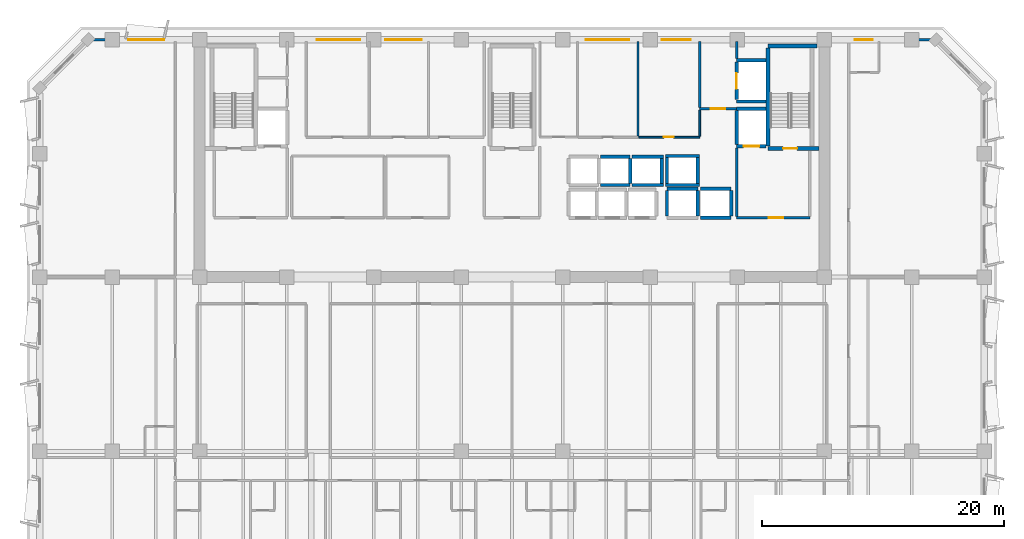
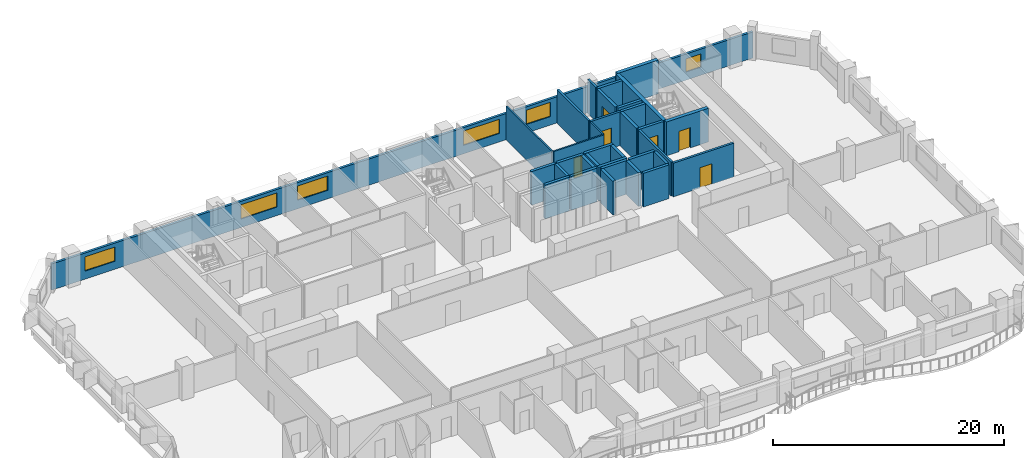
# One storey, part 8 of 15: 34 walls, 6 doors, 6 windows, 12 openings.
"""IFC4 building model written with IfcOpenShell, lengths in metres."""

from ifc_helpers import new_model, si_unit, direction, frame, frame_2d, origin, place, context, subcontext, project, spatial, rectangle, extrude, material, layer, layer_set, type_object, element, fill, save


model = new_model("IFC4")

# Units and contexts
model_context = context("Model", 3, precision=1e-05, world=origin(), true_north=direction((0.0, 1.0)))
body_context = subcontext(model_context, "Body", "Model", "MODEL_VIEW")
ifc_project = project(units=[si_unit("LENGTHUNIT", "METRE"), si_unit("AREAUNIT", "SQUARE_METRE"), si_unit("VOLUMEUNIT", "CUBIC_METRE"), si_unit("PLANEANGLEUNIT", "RADIAN"), si_unit("MASSUNIT", "GRAM", prefix="KILO")], contexts=[model_context])

# Site, building, storey
site_placement = place(None, origin())
site = spatial("IfcSite", under=ifc_project, at=site_placement, CompositionType="ELEMENT")
building_placement = place(site_placement, origin())
building = spatial("IfcBuilding", under=site, at=building_placement, Name="Kaelvorn Grand Hotel", CompositionType="ELEMENT")
storey_placement = place(building_placement, frame((0.0, 0.0, 154.35009765625)))
storey = spatial("IfcBuildingStorey", under=building, at=storey_placement, Name="L37", CompositionType="ELEMENT", Elevation=154.35009765625)

# Wall, openings, windows
ifc_material_1 = material(Name="Concrete C40/50", Category="concrete")
ifc_layer_1 = layer(ifc_material_1, 0.239990234375)
ifc_layer_set_1 = layer_set([ifc_layer_1], Name="Concrete C40/50")
wall_type_1 = type_object("IfcWallType", Name="WL-EXT-240-C40", PredefinedType="SOLIDWALL", material=ifc_layer_set_1)
wall_1_placement = place(storey_placement, frame((77.0, 49.0, 0.0), z_axis=(0.0, 0.0, 1.0), x_axis=(-1.0, 0.0, 0.0)))
wall_1 = element("IfcWall", 1, at=wall_1_placement, inside=storey, type_object=wall_type_1, Name="L37 Exterior Architectural Concrete Wall 05", PredefinedType="SOLIDWALL", context=body_context, shape_type="SweptSolid", body=[
    extrude(rectangle(XDim=70.0, YDim=0.239990234375, at=frame_2d((35.0, 0.0))), origin(), (0.0, 0.0, 1.0), 2.760009765625),
])
opening_1_placement = place(wall_1_placement, frame((63.699951171875, 0.0, 0.85009765625)))
opening_1 = element("IfcOpeningElement", 2, at=opening_1_placement, cuts=wall_1, Name="Opening W5", PredefinedType="OPENING", context=body_context, shape_type="SweptSolid", body=[
    extrude(rectangle(XDim=3.0, YDim=1.5, at=frame_2d((1.5, 0.75))), frame((0.0, 0.1298828125, 0.0), z_axis=(0.0, -1.0, 0.0), x_axis=(1.0, 0.0, 0.0)), (0.0, 0.0, 1.0), 0.260009765625),
])
opening_2_placement = place(wall_1_placement, frame((5.199951171875, 0.0, 0.85009765625)))
opening_2 = element("IfcOpeningElement", 3, at=opening_2_placement, cuts=wall_1, Name="Opening W10", PredefinedType="OPENING", context=body_context, shape_type="SweptSolid", body=[
    extrude(rectangle(XDim=1.5, YDim=1.39990234375, at=frame_2d((0.75, 0.699951171875))), frame((0.0, 0.1298828125, 0.0), z_axis=(0.0, -1.0, 0.0), x_axis=(1.0, 0.0, 0.0)), (0.0, 0.0, 1.0), 0.260009765625),
])
opening_3_placement = place(wall_1_placement, frame((47.514892578125, 0.0, 0.89990234375)))
opening_3 = element("IfcOpeningElement", 4, at=opening_3_placement, cuts=wall_1, Name="Opening W3", PredefinedType="OPENING", context=body_context, shape_type="SweptSolid", body=[
    extrude(rectangle(XDim=3.60009765625, YDim=1.5, at=frame_2d((1.800048828125, 0.75))), frame((0.0, 0.1298828125, 0.0), z_axis=(0.0, -1.0, 0.0), x_axis=(1.0, 0.0, 0.0)), (0.0, 0.0, 1.0), 0.260009765625),
])
opening_4_placement = place(wall_1_placement, frame((42.449951171875, 0.0, 0.89990234375)))
opening_4 = element("IfcOpeningElement", 5, at=opening_4_placement, cuts=wall_1, Name="Opening W5", PredefinedType="OPENING", context=body_context, shape_type="SweptSolid", body=[
    extrude(rectangle(XDim=3.0, YDim=1.5, at=frame_2d((1.5, 0.75))), frame((0.0, 0.1298828125, 0.0), z_axis=(0.0, -1.0, 0.0), x_axis=(1.0, 0.0, 0.0)), (0.0, 0.0, 1.0), 0.260009765625),
])
opening_5_placement = place(wall_1_placement, frame((25.300048828125, 0.0, 0.89990234375)))
opening_5 = element("IfcOpeningElement", 6, at=opening_5_placement, cuts=wall_1, Name="Opening W3", PredefinedType="OPENING", context=body_context, shape_type="SweptSolid", body=[
    extrude(rectangle(XDim=3.60009765625, YDim=1.5, at=frame_2d((1.800048828125, 0.75))), frame((0.0, 0.1298828125, 0.0), z_axis=(0.0, -1.0, 0.0), x_axis=(1.0, 0.0, 0.0)), (0.0, 0.0, 1.0), 0.260009765625),
])
opening_6_placement = place(wall_1_placement, frame((20.235107421875, 0.0, 0.89990234375)))
opening_6 = element("IfcOpeningElement", 7, at=opening_6_placement, cuts=wall_1, Name="Opening W6", PredefinedType="OPENING", context=body_context, shape_type="SweptSolid", body=[
    extrude(rectangle(XDim=2.39990234375, YDim=1.5, at=frame_2d((1.199951171875, 0.75))), frame((0.0, 0.1298828125, 0.0), z_axis=(0.0, -1.0, 0.0), x_axis=(1.0, 0.0, 0.0)), (0.0, 0.0, 1.0), 0.260009765625),
])
ifc_material_2 = material(Name="Laminated Low-E Glass", Category="glass")
window_type_1 = type_object("IfcWindowType", Name="WIN-COR-1500x1400", PartitioningType="SINGLE_PANEL", PredefinedType="WINDOW", material=ifc_material_2)
window_1_placement = place(opening_2_placement, origin())
window_1 = element("IfcWindow", 8, at=window_1_placement, inside=storey, type_object=window_type_1, Name="L37 North Wing Ribbon Window NW02", OverallHeight=1.39990234375, OverallWidth=1.5, PartitioningType="SINGLE_PANEL", PredefinedType="WINDOW", context=body_context, shape_type="SweptSolid", body=[
    extrude(rectangle(XDim=1.5, YDim=1.39990234375, at=frame_2d((0.75, 0.699951171875))), frame((0.0, 0.030029296875, 0.0), z_axis=(0.0, -1.0, 0.0), x_axis=(1.0, 0.0, 0.0)), (0.0, 0.0, 1.0), 0.06005859375),
])
fill(opening_2, window_1)
window_type_2 = type_object("IfcWindowType", Name="WIN-NTH-2400x1500", PartitioningType="SINGLE_PANEL", PredefinedType="WINDOW", material=ifc_material_2)
window_2_placement = place(opening_6_placement, origin())
window_2 = element("IfcWindow", 9, at=window_2_placement, inside=storey, type_object=window_type_2, Name="L37 North Core Clerestory Ribbon Window NC06", OverallHeight=1.5, OverallWidth=2.39990234375, PartitioningType="SINGLE_PANEL", PredefinedType="WINDOW", context=body_context, shape_type="SweptSolid", body=[
    extrude(rectangle(XDim=2.39990234375, YDim=1.5, at=frame_2d((1.199951171875, 0.75))), frame((0.0, 0.030029296875, 0.0), z_axis=(0.0, -1.0, 0.0), x_axis=(1.0, 0.0, 0.0)), (0.0, 0.0, 1.0), 0.06005859375),
])
fill(opening_6, window_2)
window_type_3 = type_object("IfcWindowType", Name="WIN-NTH-3000x1500", PartitioningType="SINGLE_PANEL", PredefinedType="WINDOW", material=ifc_material_2)
window_3_placement = place(opening_1_placement, origin())
window_3 = element("IfcWindow", 10, at=window_3_placement, inside=storey, type_object=window_type_3, Name="L37 North Wing Ribbon Window NW01", OverallHeight=1.5, OverallWidth=3.0, PartitioningType="SINGLE_PANEL", PredefinedType="WINDOW", context=body_context, shape_type="SweptSolid", body=[
    extrude(rectangle(XDim=3.0, YDim=1.5, at=frame_2d((1.5, 0.75))), frame((0.0, 0.030029296875, 0.0), z_axis=(0.0, -1.0, 0.0), x_axis=(1.0, 0.0, 0.0)), (0.0, 0.0, 1.0), 0.06005859375),
])
fill(opening_1, window_3)
window_4_placement = place(opening_4_placement, origin())
window_4 = element("IfcWindow", 11, at=window_4_placement, inside=storey, type_object=window_type_3, Name="L37 North Core Clerestory Ribbon Window NC04", OverallHeight=1.5, OverallWidth=3.0, PartitioningType="SINGLE_PANEL", PredefinedType="WINDOW", context=body_context, shape_type="SweptSolid", body=[
    extrude(rectangle(XDim=3.0, YDim=1.5, at=frame_2d((1.5, 0.75))), frame((0.0, 0.030029296875, 0.0), z_axis=(0.0, -1.0, 0.0), x_axis=(1.0, 0.0, 0.0)), (0.0, 0.0, 1.0), 0.06005859375),
])
fill(opening_4, window_4)
window_type_4 = type_object("IfcWindowType", Name="WIN-RIB-3600x1750", PartitioningType="SINGLE_PANEL", PredefinedType="WINDOW", material=ifc_material_2)
window_5_placement = place(opening_3_placement, origin())
window_5 = element("IfcWindow", 12, at=window_5_placement, inside=storey, type_object=window_type_4, Name="L37 North Core Clerestory Ribbon Window NC03", OverallHeight=1.5, OverallWidth=3.60009765625, PartitioningType="SINGLE_PANEL", PredefinedType="WINDOW", context=body_context, shape_type="SweptSolid", body=[
    extrude(rectangle(XDim=3.60009765625, YDim=1.5, at=frame_2d((1.800048828125, 0.75))), frame((0.0, 0.030029296875, 0.0), z_axis=(0.0, -1.0, 0.0), x_axis=(1.0, 0.0, 0.0)), (0.0, 0.0, 1.0), 0.06005859375),
])
fill(opening_3, window_5)
window_6_placement = place(opening_5_placement, origin())
window_6 = element("IfcWindow", 13, at=window_6_placement, inside=storey, type_object=window_type_4, Name="L37 North Core Clerestory Ribbon Window NC05", OverallHeight=1.5, OverallWidth=3.60009765625, PartitioningType="SINGLE_PANEL", PredefinedType="WINDOW", context=body_context, shape_type="SweptSolid", body=[
    extrude(rectangle(XDim=3.60009765625, YDim=1.5, at=frame_2d((1.800048828125, 0.75))), frame((0.0, 0.030029296875, 0.0), z_axis=(0.0, -1.0, 0.0), x_axis=(1.0, 0.0, 0.0)), (0.0, 0.0, 1.0), 0.06005859375),
])
fill(opening_5, window_6)

# Wall
ifc_material_3 = material(Name="Acoustic Gypsum & Stud Partition")
ifc_layer_2 = layer(ifc_material_3, 0.14990234375)
ifc_layer_set_2 = layer_set([ifc_layer_2], Name="Acoustic Gypsum & Stud Partition")
wall_type_2 = type_object("IfcWallType", Name="WL-PART-150-EI60", PredefinedType="PARTITIONING", material=ifc_layer_set_2)
wall_2_placement = place(storey_placement, frame((52.39990234375, 41.030029296875, 0.0), z_axis=(0.0, 0.0, 1.0), x_axis=(0.0, 1.0, 0.0)))
element("IfcWall", 14, at=wall_2_placement, inside=storey, type_object=wall_type_2, Name="L37 Valet & Luggage Store E Partition", PredefinedType="PARTITIONING", context=body_context, shape_type="SweptSolid", body=[
    extrude(rectangle(XDim=7.820068359375, YDim=0.14990234375, at=frame_2d((3.91015625, 0.0))), origin(), (0.0, 0.0, 1.0), 3.559814453125),
])

# Wall, opening, door
wall_3_placement = place(storey_placement, frame((52.47998046875, 40.949951171875, 0.0), z_axis=(0.0, 0.0, 1.0), x_axis=(1.0, 0.0, 0.0)))
wall_3 = element("IfcWall", 15, at=wall_3_placement, inside=storey, type_object=wall_type_2, Name="L37 Clean Utility & Amenity Store S Partition", PredefinedType="PARTITIONING", context=body_context, shape_type="SweptSolid", body=[
    extrude(rectangle(XDim=5.02001953125, YDim=0.14990234375, at=frame_2d((2.510009765625, 0.0))), origin(), (0.0, 0.0, 1.0), 3.559814453125),
])
opening_7_placement = place(wall_3_placement, frame((2.044921875, 0.0, 0.0)))
opening_7 = element("IfcOpeningElement", 16, at=opening_7_placement, cuts=wall_3, Name="Opening DI7", PredefinedType="OPENING", context=body_context, shape_type="SweptSolid", body=[
    extrude(rectangle(XDim=0.85009765625, YDim=2.10009765625, at=frame_2d((0.425048828125, 1.050048828125))), frame((0.0, 0.0849609375, 0.0), z_axis=(0.0, -1.0, 0.0), x_axis=(1.0, 0.0, 0.0)), (0.0, 0.0, 1.0), 0.169921875),
])
ifc_material_4 = material(Name="Powder-Coated Steel Leaf", Category="steel")
door_type_1 = type_object("IfcDoorType", Name="DR-INT-RISER-850x2100", OperationType="NOTDEFINED", PredefinedType="DOOR", material=ifc_material_4)
door_1_placement = place(opening_7_placement, origin())
door_1 = element("IfcDoor", 17, at=door_1_placement, inside=storey, type_object=door_type_1, Name="L37 Clean Utility & Amenity Store Door", OperationType="SINGLE_SWING_RIGHT", OverallHeight=2.10009765625, OverallWidth=0.85009765625, PredefinedType="DOOR", context=body_context, shape_type="SweptSolid", body=[
    extrude(rectangle(XDim=0.85009765625, YDim=2.10009765625, at=frame_2d((0.425048828125, 1.050048828125))), frame((0.0, 0.02490234375, 0.0), z_axis=(0.0, -1.0, 0.0), x_axis=(1.0, 0.0, 0.0)), (0.0, 0.0, 1.0), 0.050048828125),
])
fill(opening_7, door_1)

# Wall
wall_4_placement = place(storey_placement, frame((57.5, 41.030029296875, 0.0), z_axis=(0.0, 0.0, 1.0), x_axis=(0.0, 1.0, 0.0)))
element("IfcWall", 18, at=wall_4_placement, inside=storey, type_object=wall_type_2, Name="L37 Clean Utility & Amenity Store E Partition", PredefinedType="PARTITIONING", context=body_context, shape_type="SweptSolid", body=[
    extrude(rectangle(XDim=2.155029296875, YDim=0.14990234375, at=frame_2d((1.07763671875, 0.0))), origin(), (0.0, 0.0, 1.0), 3.559814453125),
])

# Wall, opening, door
ifc_layer_3 = layer(ifc_material_1, 0.219970703125)
ifc_layer_set_3 = layer_set([ifc_layer_3], Name="Concrete C40/50")
wall_type_3 = type_object("IfcWallType", Name="WL-PART-220-EI120", PredefinedType="PARTITIONING", material=ifc_layer_set_3)
wall_5_placement = place(storey_placement, frame((60.550048828125, 34.300048828125, 0.0), z_axis=(0.0, 0.0, 1.0), x_axis=(1.0, 0.0, 0.0)))
wall_5 = element("IfcWall", 19, at=wall_5_placement, inside=storey, type_object=wall_type_3, Name="L37 Firefighting Lift Lobby 2 S Partition", PredefinedType="PARTITIONING", context=body_context, shape_type="SweptSolid", body=[
    extrude(rectangle(XDim=6.050048828125, YDim=0.219970703125, at=frame_2d((3.02490234375, 0.0))), origin(), (0.0, 0.0, 1.0), 3.559814453125),
])
opening_8_placement = place(wall_5_placement, frame((2.64990234375, 0.0, 0.0)))
opening_8 = element("IfcOpeningElement", 20, at=opening_8_placement, cuts=wall_5, Name="Opening DI2", PredefinedType="OPENING", context=body_context, shape_type="SweptSolid", body=[
    extrude(rectangle(XDim=1.199951171875, YDim=2.14990234375, at=frame_2d((0.60009765625, 1.074951171875))), frame((0.0, 0.1201171875, 0.0), z_axis=(0.0, -1.0, 0.0), x_axis=(1.0, 0.0, 0.0)), (0.0, 0.0, 1.0), 0.239990234375),
])
ifc_material_5 = material(Name="Timber Veneer Fire Leaf", Category="wood")
door_type_2 = type_object("IfcDoorType", Name="DR-INT-FFLOB-1200x2150", OperationType="NOTDEFINED", PredefinedType="DOOR", material=ifc_material_5)
door_2_placement = place(opening_8_placement, origin())
door_2 = element("IfcDoor", 21, at=door_2_placement, inside=storey, type_object=door_type_2, Name="L37 Firefighting Lift Lobby 2 Door", OperationType="SINGLE_SWING_RIGHT", OverallHeight=2.14990234375, OverallWidth=1.199951171875, PredefinedType="DOOR", context=body_context, shape_type="SweptSolid", body=[
    extrude(rectangle(XDim=1.199951171875, YDim=2.14990234375, at=frame_2d((0.60009765625, 1.074951171875))), frame((0.0, 0.02490234375, 0.0), z_axis=(0.0, -1.0, 0.0), x_axis=(1.0, 0.0, 0.0)), (0.0, 0.0, 1.0), 0.050048828125),
])
fill(opening_8, door_2)

# Wall
wall_6_placement = place(storey_placement, frame((60.550048828125, 34.4150390625, 0.0), z_axis=(0.0, 0.0, 1.0), x_axis=(0.0, 1.0, 0.0)))
element("IfcWall", 22, at=wall_6_placement, inside=storey, type_object=wall_type_3, Name="L37 Firefighting Lift Lobby 2 W Partition", PredefinedType="PARTITIONING", context=body_context, shape_type="SweptSolid", body=[
    extrude(rectangle(XDim=5.639892578125, YDim=0.219970703125, at=frame_2d((2.81982421875, 0.0))), origin(), (0.0, 0.0, 1.0), 3.559814453125),
])

# Wall, opening, door
wall_7_placement = place(storey_placement, frame((57.5, 43.300048828125, 0.0), z_axis=(0.0, 0.0, 1.0), x_axis=(1.0, 0.0, 0.0)))
wall_7 = element("IfcWall", 23, at=wall_7_placement, inside=storey, type_object=wall_type_3, Name="L37 Service Lift Lobby S Partition", PredefinedType="PARTITIONING", context=body_context, shape_type="SweptSolid", body=[
    extrude(rectangle(XDim=3.0400390625, YDim=0.219970703125, at=frame_2d((1.52001953125, 0.0))), origin(), (0.0, 0.0, 1.0), 3.559814453125),
])
opening_9_placement = place(wall_7_placement, frame((0.89990234375, 0.0, 0.0)))
opening_9 = element("IfcOpeningElement", 24, at=opening_9_placement, cuts=wall_7, Name="Opening DI2", PredefinedType="OPENING", context=body_context, shape_type="SweptSolid", body=[
    extrude(rectangle(XDim=1.199951171875, YDim=2.14990234375, at=frame_2d((0.60009765625, 1.074951171875))), frame((0.0, 0.1201171875, 0.0), z_axis=(0.0, -1.0, 0.0), x_axis=(1.0, 0.0, 0.0)), (0.0, 0.0, 1.0), 0.239990234375),
])
door_3_placement = place(opening_9_placement, origin())
door_3 = element("IfcDoor", 25, at=door_3_placement, inside=storey, type_object=door_type_2, Name="L37 Service Lift Lobby Door", OperationType="SINGLE_SWING_RIGHT", OverallHeight=2.14990234375, OverallWidth=1.199951171875, PredefinedType="DOOR", context=body_context, shape_type="SweptSolid", body=[
    extrude(rectangle(XDim=1.199951171875, YDim=2.14990234375, at=frame_2d((0.60009765625, 1.074951171875))), frame((0.0, 0.02490234375, 0.0), z_axis=(0.0, -1.0, 0.0), x_axis=(1.0, 0.0, 0.0)), (0.0, 0.0, 1.0), 0.050048828125),
])
fill(opening_9, door_3)

# Walls
wall_8_placement = place(storey_placement, frame((57.5, 43.4150390625, 0.0), z_axis=(0.0, 0.0, 1.0), x_axis=(0.0, 1.0, 0.0)))
element("IfcWall", 26, at=wall_8_placement, inside=storey, type_object=wall_type_3, Name="L37 Service Lift Lobby W Partition", PredefinedType="PARTITIONING", context=body_context, shape_type="SweptSolid", body=[
    extrude(rectangle(XDim=5.43505859375, YDim=0.219970703125, at=frame_2d((2.717529296875, 0.0))), origin(), (0.0, 0.0, 1.0), 3.559814453125),
])
wall_9_placement = place(storey_placement, frame((60.550048828125, 47.445068359375, 0.0), z_axis=(0.0, 0.0, 1.0), x_axis=(0.0, 1.0, 0.0)))
element("IfcWall", 27, at=wall_9_placement, inside=storey, type_object=wall_type_3, Name="L37 Service Lift Lobby E Partition", PredefinedType="PARTITIONING", context=body_context, shape_type="SweptSolid", body=[
    extrude(rectangle(XDim=1.405029296875, YDim=0.219970703125, at=frame_2d((0.70263671875, 0.0))), origin(), (0.0, 0.0, 1.0), 3.559814453125),
])
ifc_material_6 = material(Name="Concrete C50/60", Category="concrete")
ifc_layer_4 = layer(ifc_material_6, 0.280029296875)
ifc_layer_set_4 = layer_set([ifc_layer_4], Name="Concrete C50/60")
wall_type_4 = type_object("IfcWallType", Name="WL-SHAFT-280-C50", PredefinedType="SHEAR", material=ifc_layer_set_4)
for number, where, z_axis, x_axis, name in (
    (28, (49.300048828125, 37.0, 0.0), (0.0, 0.0, 1.0), (1.0, 0.0, 0.0), "L37 Lift SL-2 Shaft South Wall"),
    (29, (49.300048828125, 39.35009765625, 0.0), (0.0, 0.0, 1.0), (1.0, 0.0, 0.0), "L37 Lift SL-2 Shaft North Wall"),
):
    element("IfcWall", number, at=place(storey_placement, frame(where, z_axis=z_axis, x_axis=x_axis)), inside=storey, type_object=wall_type_4, Name=name, PredefinedType="SHEAR", context=body_context, shape_type="SweptSolid", body=[
        extrude(rectangle(XDim=2.449951171875, YDim=0.280029296875, at=frame_2d((1.22509765625, 0.0))), origin(), (0.0, 0.0, 1.0), 3.559814453125),
    ])
wall_10_placement = place(storey_placement, frame((51.75, 37.14501953125, 0.0), z_axis=(0.0, 0.0, 1.0), x_axis=(0.0, 1.0, 0.0)))
element("IfcWall", 30, at=wall_10_placement, inside=storey, type_object=wall_type_4, Name="L37 Lift SL-2 Shaft East Wall", PredefinedType="SHEAR", context=body_context, shape_type="SweptSolid", body=[
    extrude(rectangle(XDim=2.06005859375, YDim=0.280029296875, at=frame_2d((1.030029296875, 0.0))), origin(), (0.0, 0.0, 1.0), 3.559814453125),
])
for number, where, z_axis, x_axis, name in (
    (31, (51.89990234375, 37.0, 0.0), (0.0, 0.0, 1.0), (1.0, 0.0, 0.0), "L37 Lift SL-3 Shaft South Wall"),
    (32, (51.89990234375, 39.35009765625, 0.0), (0.0, 0.0, 1.0), (1.0, 0.0, 0.0), "L37 Lift SL-3 Shaft North Wall"),
):
    element("IfcWall", number, at=place(storey_placement, frame(where, z_axis=z_axis, x_axis=x_axis)), inside=storey, type_object=wall_type_4, Name=name, PredefinedType="SHEAR", context=body_context, shape_type="SweptSolid", body=[
        extrude(rectangle(XDim=2.590087890625, YDim=0.280029296875, at=frame_2d((1.294921875, 0.0))), origin(), (0.0, 0.0, 1.0), 3.559814453125),
    ])
wall_11_placement = place(storey_placement, frame((54.35009765625, 37.14501953125, 0.0), z_axis=(0.0, 0.0, 1.0), x_axis=(0.0, 1.0, 0.0)))
element("IfcWall", 33, at=wall_11_placement, inside=storey, type_object=wall_type_4, Name="L37 Lift SL-3 Shaft East Wall", PredefinedType="SHEAR", context=body_context, shape_type="SweptSolid", body=[
    extrude(rectangle(XDim=2.06005859375, YDim=0.280029296875, at=frame_2d((1.030029296875, 0.0))), origin(), (0.0, 0.0, 1.0), 3.559814453125),
])
wall_12_placement = place(storey_placement, frame((54.800048828125, 36.699951171875, 0.0), z_axis=(0.0, 0.0, 1.0), x_axis=(1.0, 0.0, 0.0)))
element("IfcWall", 34, at=wall_12_placement, inside=storey, type_object=wall_type_4, Name="L37 Lift OL-1 Shaft North Wall", PredefinedType="SHEAR", context=body_context, shape_type="SweptSolid", body=[
    extrude(rectangle(XDim=2.550048828125, YDim=0.280029296875, at=frame_2d((1.27490234375, 0.0))), origin(), (0.0, 0.0, 1.0), 3.559814453125),
])
for number, where, z_axis, x_axis, name in (
    (35, (54.800048828125, 34.445068359375, 0.0), (0.0, 0.0, 1.0), (0.0, 1.0, 0.0), "L37 Lift OL-1 Shaft West Wall"),
    (36, (57.35009765625, 34.445068359375, 0.0), (0.0, 0.0, 1.0), (0.0, 1.0, 0.0), "L37 Lift OL-1 Shaft East Wall"),
):
    element("IfcWall", number, at=place(storey_placement, frame(where, z_axis=z_axis, x_axis=x_axis)), inside=storey, type_object=wall_type_4, Name=name, PredefinedType="SHEAR", context=body_context, shape_type="SweptSolid", body=[
        extrude(rectangle(XDim=2.10986328125, YDim=0.280029296875, at=frame_2d((1.054931640625, 0.0))), origin(), (0.0, 0.0, 1.0), 3.559814453125),
    ])
for number, where, z_axis, x_axis, name in (
    (37, (57.550048828125, 34.300048828125, 0.0), (0.0, 0.0, 1.0), (1.0, 0.0, 0.0), "L37 Lift OL-2 Shaft South Wall"),
    (38, (57.550048828125, 36.699951171875, 0.0), (0.0, 0.0, 1.0), (1.0, 0.0, 0.0), "L37 Lift OL-2 Shaft North Wall"),
):
    element("IfcWall", number, at=place(storey_placement, frame(where, z_axis=z_axis, x_axis=x_axis)), inside=storey, type_object=wall_type_4, Name=name, PredefinedType="SHEAR", context=body_context, shape_type="SweptSolid", body=[
        extrude(rectangle(XDim=2.550048828125, YDim=0.280029296875, at=frame_2d((1.27490234375, 0.0))), origin(), (0.0, 0.0, 1.0), 3.559814453125),
    ])
wall_13_placement = place(storey_placement, frame((60.10009765625, 34.445068359375, 0.0), z_axis=(0.0, 0.0, 1.0), x_axis=(0.0, 1.0, 0.0)))
element("IfcWall", 39, at=wall_13_placement, inside=storey, type_object=wall_type_4, Name="L37 Lift OL-2 Shaft East Wall", PredefinedType="SHEAR", context=body_context, shape_type="SweptSolid", body=[
    extrude(rectangle(XDim=2.10986328125, YDim=0.280029296875, at=frame_2d((1.054931640625, 0.0))), origin(), (0.0, 0.0, 1.0), 3.559814453125),
])
for number, where, z_axis, x_axis, name in (
    (40, (54.659912109375, 37.0, 0.0), (0.0, 0.0, 1.0), (1.0, 0.0, 0.0), "L37 Lift OL-3 Shaft South Wall"),
    (41, (54.659912109375, 39.39990234375, 0.0), (0.0, 0.0, 1.0), (1.0, 0.0, 0.0), "L37 Lift OL-3 Shaft North Wall"),
):
    element("IfcWall", number, at=place(storey_placement, frame(where, z_axis=z_axis, x_axis=x_axis)), inside=storey, type_object=wall_type_4, Name=name, PredefinedType="SHEAR", context=body_context, shape_type="SweptSolid", body=[
        extrude(rectangle(XDim=2.830078125, YDim=0.280029296875, at=frame_2d((1.4150390625, 0.0))), origin(), (0.0, 0.0, 1.0), 3.559814453125),
    ])
for number, where, z_axis, x_axis, name in (
    (42, (54.800048828125, 37.14501953125, 0.0), (0.0, 0.0, 1.0), (0.0, 1.0, 0.0), "L37 Lift OL-3 Shaft West Wall"),
    (43, (57.35009765625, 37.14501953125, 0.0), (0.0, 0.0, 1.0), (0.0, 1.0, 0.0), "L37 Lift OL-3 Shaft East Wall"),
):
    element("IfcWall", number, at=place(storey_placement, frame(where, z_axis=z_axis, x_axis=x_axis)), inside=storey, type_object=wall_type_4, Name=name, PredefinedType="SHEAR", context=body_context, shape_type="SweptSolid", body=[
        extrude(rectangle(XDim=2.10986328125, YDim=0.280029296875, at=frame_2d((1.054931640625, 0.0))), origin(), (0.0, 0.0, 1.0), 3.559814453125),
    ])

# Wall, opening, door
wall_14_placement = place(storey_placement, frame((60.550048828125, 40.199951171875, 0.0), z_axis=(0.0, 0.0, 1.0), x_axis=(1.0, 0.0, 0.0)))
wall_14 = element("IfcWall", 44, at=wall_14_placement, inside=storey, type_object=wall_type_4, Name="L37 Lift FFL2 Shaft South Wall", PredefinedType="SHEAR", context=body_context, shape_type="SweptSolid", body=[
    extrude(rectangle(XDim=2.4150390625, YDim=0.280029296875, at=frame_2d((1.20751953125, 0.0))), origin(), (0.0, 0.0, 1.0), 3.559814453125),
])
opening_10_placement = place(wall_14_placement, frame((0.574951171875, 0.0, 0.0)))
opening_10 = element("IfcOpeningElement", 45, at=opening_10_placement, cuts=wall_14, Name="Opening LD-FFL2", PredefinedType="OPENING", context=body_context, shape_type="SweptSolid", body=[
    extrude(rectangle(XDim=1.300048828125, YDim=2.300048828125, at=frame_2d((0.64990234375, 1.14990234375))), frame((0.0, 0.14990234375, 0.0), z_axis=(0.0, -1.0, 0.0), x_axis=(1.0, 0.0, 0.0)), (0.0, 0.0, 1.0), 0.300048828125),
])
ifc_material_7 = material(Name="Stainless Steel", Category="steel")
door_type_3 = type_object("IfcDoorType", Name="DR-LIFT-SERV-1300x2300", OperationType="DOUBLE_DOOR_SLIDING", PredefinedType="DOOR", material=ifc_material_7)
door_4_placement = place(opening_10_placement, origin())
door_4 = element("IfcDoor", 46, at=door_4_placement, inside=storey, type_object=door_type_3, Name="L37 Lift FFL2 Sliding Landing Door LD-FFL2", OperationType="DOUBLE_DOOR_SLIDING", OverallHeight=2.300048828125, OverallWidth=1.300048828125, PredefinedType="DOOR", context=body_context, shape_type="SweptSolid", body=[
    extrude(rectangle(XDim=1.300048828125, YDim=2.300048828125, at=frame_2d((0.64990234375, 1.14990234375))), frame((0.0, 0.02490234375, 0.0), z_axis=(0.0, -1.0, 0.0), x_axis=(1.0, 0.0, 0.0)), (0.0, 0.0, 1.0), 0.050048828125),
])
fill(opening_10, door_4)

# Walls
wall_15_placement = place(storey_placement, frame((60.550048828125, 43.300048828125, 0.0), z_axis=(0.0, 0.0, 1.0), x_axis=(1.0, 0.0, 0.0)))
element("IfcWall", 47, at=wall_15_placement, inside=storey, type_object=wall_type_4, Name="L37 Lift FFL2 Shaft North Wall", PredefinedType="SHEAR", context=body_context, shape_type="SweptSolid", body=[
    extrude(rectangle(XDim=2.4150390625, YDim=0.280029296875, at=frame_2d((1.20751953125, 0.0))), origin(), (0.0, 0.0, 1.0), 3.559814453125),
])
wall_16_placement = place(storey_placement, frame((60.550048828125, 40.344970703125, 0.0), z_axis=(0.0, 0.0, 1.0), x_axis=(0.0, 1.0, 0.0)))
element("IfcWall", 48, at=wall_16_placement, inside=storey, type_object=wall_type_4, Name="L37 Lift FFL2 Shaft West Wall", PredefinedType="SHEAR", context=body_context, shape_type="SweptSolid", body=[
    extrude(rectangle(XDim=2.81005859375, YDim=0.280029296875, at=frame_2d((1.405029296875, 0.0))), origin(), (0.0, 0.0, 1.0), 3.559814453125),
])
for number, where, z_axis, x_axis, name in (
    (49, (60.550048828125, 43.89990234375, 0.0), (0.0, 0.0, 1.0), (1.0, 0.0, 0.0), "L37 Lift SV1 Shaft South Wall"),
    (50, (60.550048828125, 47.300048828125, 0.0), (0.0, 0.0, 1.0), (1.0, 0.0, 0.0), "L37 Lift SV1 Shaft North Wall"),
):
    element("IfcWall", number, at=place(storey_placement, frame(where, z_axis=z_axis, x_axis=x_axis)), inside=storey, type_object=wall_type_4, Name=name, PredefinedType="SHEAR", context=body_context, shape_type="SweptSolid", body=[
        extrude(rectangle(XDim=2.4150390625, YDim=0.280029296875, at=frame_2d((1.20751953125, 0.0))), origin(), (0.0, 0.0, 1.0), 3.559814453125),
    ])

# Wall, opening, door
wall_17_placement = place(storey_placement, frame((60.550048828125, 44.044921875, 0.0), z_axis=(0.0, 0.0, 1.0), x_axis=(0.0, 1.0, 0.0)))
wall_17 = element("IfcWall", 51, at=wall_17_placement, inside=storey, type_object=wall_type_4, Name="L37 Lift SV1 Shaft West Wall", PredefinedType="SHEAR", context=body_context, shape_type="SweptSolid", body=[
    extrude(rectangle(XDim=3.110107421875, YDim=0.280029296875, at=frame_2d((1.55517578125, 0.0))), origin(), (0.0, 0.0, 1.0), 3.559814453125),
])
opening_11_placement = place(wall_17_placement, frame((0.905029296875, 0.0, 0.0)))
opening_11 = element("IfcOpeningElement", 52, at=opening_11_placement, cuts=wall_17, Name="Opening LD-SV1", PredefinedType="OPENING", context=body_context, shape_type="SweptSolid", body=[
    extrude(rectangle(XDim=1.300048828125, YDim=2.300048828125, at=frame_2d((0.64990234375, 1.14990234375))), frame((0.0, 0.14990234375, 0.0), z_axis=(0.0, -1.0, 0.0), x_axis=(1.0, 0.0, 0.0)), (0.0, 0.0, 1.0), 0.300048828125),
])
door_5_placement = place(opening_11_placement, origin())
door_5 = element("IfcDoor", 53, at=door_5_placement, inside=storey, type_object=door_type_3, Name="L37 Lift SV1 Sliding Landing Door LD-SV1", OperationType="DOUBLE_DOOR_SLIDING", OverallHeight=2.300048828125, OverallWidth=1.300048828125, PredefinedType="DOOR", context=body_context, shape_type="SweptSolid", body=[
    extrude(rectangle(XDim=1.300048828125, YDim=2.300048828125, at=frame_2d((0.64990234375, 1.14990234375))), frame((0.0, 0.02490234375, 0.0), z_axis=(0.0, -1.0, 0.0), x_axis=(1.0, 0.0, 0.0)), (0.0, 0.0, 1.0), 0.050048828125),
])
fill(opening_11, door_5)

ifc_material_8 = material(Name="Concrete C60/75", Category="concrete")
ifc_layer_5 = layer(ifc_material_8, 0.35009765625)
ifc_layer_set_5 = layer_set([ifc_layer_5], Name="Concrete C60/75")
wall_type_5 = type_object("IfcWallType", Name="WL-SHAFT-350-C60", PredefinedType="SHEAR", material=ifc_layer_set_5)
wall_18_placement = place(storey_placement, frame((63.14501953125, 40.02490234375, 0.0), z_axis=(0.0, 0.0, 1.0), x_axis=(1.0, 0.0, 0.0)))
wall_18 = element("IfcWall", 54, at=wall_18_placement, inside=storey, type_object=wall_type_5, Name="L37 ST3 Stair Shaft South Wall", PredefinedType="SHEAR", context=body_context, shape_type="SweptSolid", body=[
    extrude(rectangle(XDim=4.199951171875, YDim=0.35009765625, at=frame_2d((2.10009765625, 0.0))), origin(), (0.0, 0.0, 1.0), 3.559814453125),
])
opening_12_placement = place(wall_18_placement, frame((1.239990234375, 0.0, 0.0)))
opening_12 = element("IfcOpeningElement", 55, at=opening_12_placement, cuts=wall_18, Name="Opening DI1", PredefinedType="OPENING", context=body_context, shape_type="SweptSolid", body=[
    extrude(rectangle(XDim=1.14990234375, YDim=2.14990234375, at=frame_2d((0.574951171875, 1.074951171875))), frame((0.0, 0.18505859375, 0.0), z_axis=(0.0, -1.0, 0.0), x_axis=(1.0, 0.0, 0.0)), (0.0, 0.0, 1.0), 0.3701171875),
])
door_type_4 = type_object("IfcDoorType", Name="DR-INT-STAIR-1150x2150", OperationType="NOTDEFINED", PredefinedType="DOOR", material=ifc_material_5)
door_6_placement = place(opening_12_placement, origin())
door_6 = element("IfcDoor", 56, at=door_6_placement, inside=storey, type_object=door_type_4, Name="L37 ST3 Exit Stair Fire Door", OperationType="SINGLE_SWING_RIGHT", OverallHeight=2.14990234375, OverallWidth=1.14990234375, PredefinedType="DOOR", context=body_context, shape_type="SweptSolid", body=[
    extrude(rectangle(XDim=1.14990234375, YDim=2.14990234375, at=frame_2d((0.574951171875, 1.074951171875))), frame((0.0, 0.02490234375, 0.0), z_axis=(0.0, -1.0, 0.0), x_axis=(1.0, 0.0, 0.0)), (0.0, 0.0, 1.0), 0.050048828125),
])
fill(opening_12, door_6)

# Walls
wall_19_placement = place(storey_placement, frame((63.14501953125, 48.47509765625, 0.0), z_axis=(0.0, 0.0, 1.0), x_axis=(1.0, 0.0, 0.0)))
element("IfcWall", 57, at=wall_19_placement, inside=storey, type_object=wall_type_5, Name="L37 ST3 Stair Shaft North Wall", PredefinedType="SHEAR", context=body_context, shape_type="SweptSolid", body=[
    extrude(rectangle(XDim=4.050048828125, YDim=0.35009765625, at=frame_2d((2.02490234375, 0.0))), origin(), (0.0, 0.0, 1.0), 3.559814453125),
])
wall_20_placement = place(storey_placement, frame((63.14501953125, 40.205078125, 0.0), z_axis=(0.0, 0.0, 1.0), x_axis=(0.0, 1.0, 0.0)))
element("IfcWall", 58, at=wall_20_placement, inside=storey, type_object=wall_type_5, Name="L37 ST3 Stair Shaft West Wall", PredefinedType="SHEAR", context=body_context, shape_type="SweptSolid", body=[
    extrude(rectangle(XDim=8.08984375, YDim=0.35009765625, at=frame_2d((4.044921875, 0.0))), origin(), (0.0, 0.0, 1.0), 3.559814453125),
])

save(model, "model.ifc")
